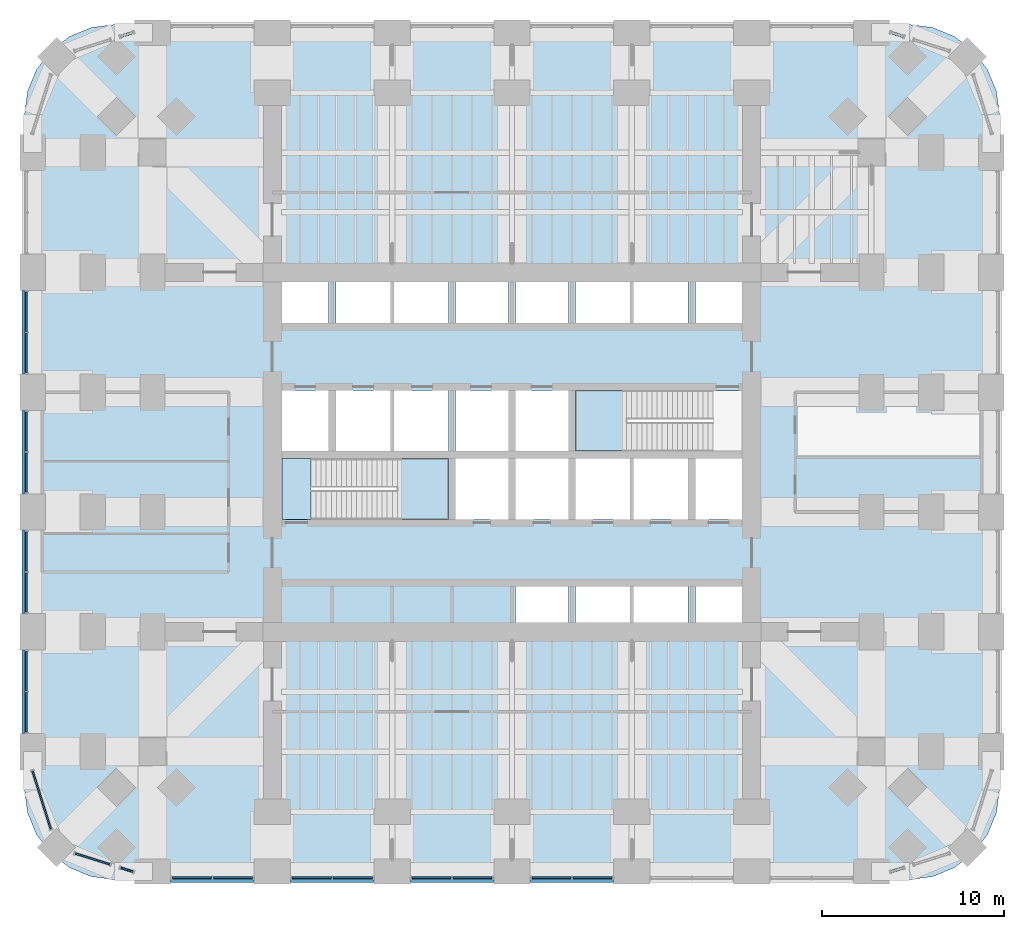
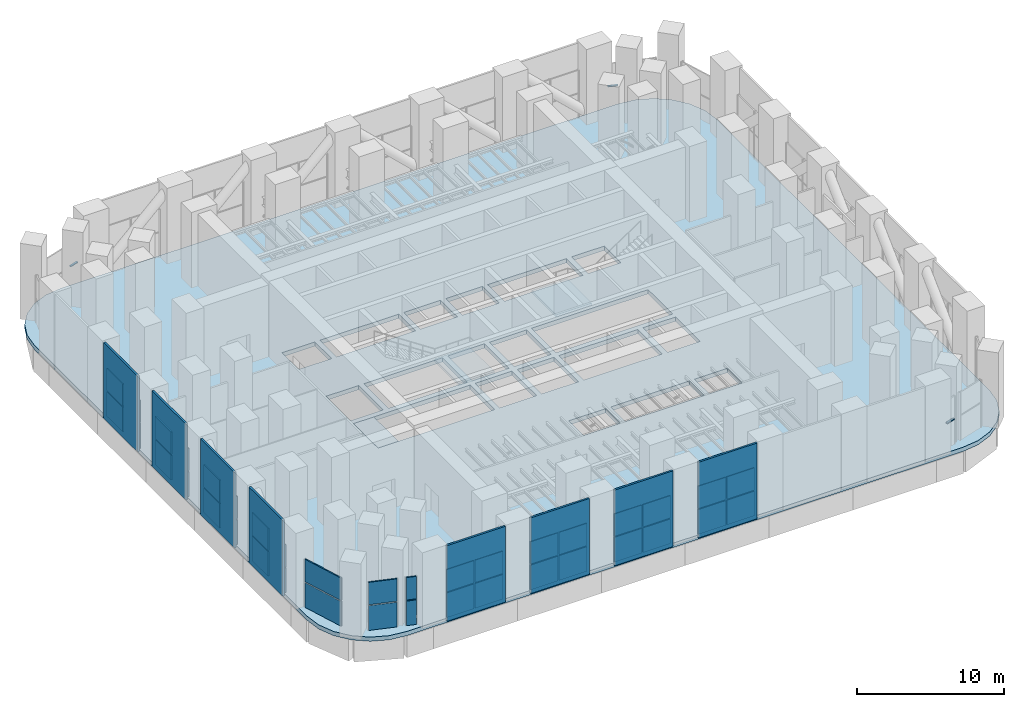
# One storey, part 11 of 17: 46 plates, 4 members, 4 slabs, 16 elements without a shape of their own.
"""IFC4 building model written with IfcOpenShell, lengths in metres."""

from ifc_helpers import new_model, si_unit, direction, frame, origin, origin_2d, place, context, subcontext, project, spatial, polyline, rectangle, outline, extrude, material, layer, layer_set, material_profile, profile_set, type_object, element, aggregate, save


model = new_model("IFC4")

# Units and contexts
model_context = context("Model", 3, precision=1e-05, world=origin(), true_north=direction((0.0, 1.0)))
body_context = subcontext(model_context, "Body", "Model", "MODEL_VIEW")
ifc_project = project(units=[si_unit("LENGTHUNIT", "METRE"), si_unit("AREAUNIT", "SQUARE_METRE"), si_unit("VOLUMEUNIT", "CUBIC_METRE"), si_unit("PLANEANGLEUNIT", "RADIAN"), si_unit("MASSUNIT", "GRAM", prefix="KILO")], contexts=[model_context])

# Site, building, storey
site_placement = place(None, origin())
site = spatial("IfcSite", under=ifc_project, at=site_placement, CompositionType="ELEMENT")
building_placement = place(site_placement, origin())
building = spatial("IfcBuilding", under=site, at=building_placement, Name="Cobogo Forest Laboratory Tower", CompositionType="ELEMENT")
storey_placement = place(building_placement, frame((0.0, 0.0, 75.89990234375)))
storey = spatial("IfcBuildingStorey", under=building, at=storey_placement, Name="L17", CompositionType="ELEMENT", Elevation=75.89990234375)

# Curtain wall, member
ifc_material_1 = material(Name="Aluminium curtain wall", Category="aluminium")
curtain_wall_type = type_object("IfcCurtainWallType", Name="CW-P louvred curtain wall, plant floors", PredefinedType="USERDEFINED", material=ifc_material_1)
curtain_wall_1_placement = place(storey_placement, origin())
curtain_wall_1 = element("IfcCurtainWall", 1, at=curtain_wall_1_placement, inside=storey, type_object=curtain_wall_type, Name="Curtain wall 07 L17", ObjectType="LOUVRED CURTAIN WALL", PredefinedType="USERDEFINED")
ifc_material_2 = material(Name="Aluminium transom", Category="aluminium")
ifc_material_profile = material_profile(ifc_material_2, rectangle(XDim=0.14990234375, YDim=0.080078125, at=origin_2d()), Name="AL 80x150")
ifc_profile_set = profile_set([ifc_material_profile], Name="Aluminium transom")
member_type = type_object("IfcMemberType", Name="TR-2 aluminium louvre transom 80x150", PredefinedType="USERDEFINED", material=ifc_profile_set)
member_1_placement = place(storey_placement, frame((47.2763671875, -0.010009765625, 2.10009765625), z_axis=(0.953660766442, 0.300883935346, 0.0), x_axis=(-0.300883935346, 0.953660766442, 0.0)))
member_1 = element("IfcMember", 2, at=member_1_placement, type_object=member_type, Name="CW-P transom 1.1", ObjectType="TRANSOM", PredefinedType="USERDEFINED", context=body_context, shape_type="SweptSolid", body=[
    extrude(rectangle(XDim=0.14990234375, YDim=0.080078125, at=origin_2d()), origin(), (0.0, 0.0, 1.0), 0.708251953125),
])
aggregate(curtain_wall_1, [member_1])

curtain_wall_2_placement = place(storey_placement, origin())
curtain_wall_2 = element("IfcCurtainWall", 3, at=curtain_wall_2_placement, inside=storey, type_object=curtain_wall_type, Name="Curtain wall 17 L17", ObjectType="LOUVRED CURTAIN WALL", PredefinedType="USERDEFINED")
member_2_placement = place(storey_placement, frame((47.951904296875, 45.996826171875, 2.10009765625), z_axis=(-0.953561829439, 0.301197339693, 0.0), x_axis=(-0.301197339693, -0.953561829439, 0.0)))
member_2 = element("IfcMember", 4, at=member_2_placement, type_object=member_type, Name="CW-P transom 1.1", ObjectType="TRANSOM", PredefinedType="USERDEFINED", context=body_context, shape_type="SweptSolid", body=[
    extrude(rectangle(XDim=0.14990234375, YDim=0.080078125, at=origin_2d()), origin(), (0.0, 0.0, 1.0), 0.70849609375),
])
aggregate(curtain_wall_2, [member_2])

curtain_wall_3_placement = place(storey_placement, origin())
curtain_wall_3 = element("IfcCurtainWall", 5, at=curtain_wall_3_placement, inside=storey, type_object=curtain_wall_type, Name="Curtain wall 24 L17", ObjectType="LOUVRED CURTAIN WALL", PredefinedType="USERDEFINED")
member_3_placement = place(storey_placement, frame((5.523681640625, 46.210205078125, 2.10009765625), z_axis=(-0.953561829439, -0.301197339693, 0.0), x_axis=(0.301197339693, -0.953561829439, 0.0)))
member_3 = element("IfcMember", 6, at=member_3_placement, type_object=member_type, Name="CW-P transom 1.1", ObjectType="TRANSOM", PredefinedType="USERDEFINED", context=body_context, shape_type="SweptSolid", body=[
    extrude(rectangle(XDim=0.14990234375, YDim=0.080078125, at=origin_2d()), origin(), (0.0, 0.0, 1.0), 0.70849609375),
])
aggregate(curtain_wall_3, [member_3])

curtain_wall_4_placement = place(storey_placement, origin())
curtain_wall_4 = element("IfcCurtainWall", 7, at=curtain_wall_4_placement, inside=storey, type_object=curtain_wall_type, Name="Curtain wall 34 L17", ObjectType="LOUVRED CURTAIN WALL", PredefinedType="USERDEFINED")
member_4_placement = place(storey_placement, frame((4.84814453125, 0.203125, 2.10009765625), z_axis=(0.953660766442, -0.300883935346, 0.0), x_axis=(0.300883935346, 0.953660766442, 0.0)))
member_4 = element("IfcMember", 8, at=member_4_placement, type_object=member_type, Name="CW-P transom 1.1", ObjectType="TRANSOM", PredefinedType="USERDEFINED", context=body_context, shape_type="SweptSolid", body=[
    extrude(rectangle(XDim=0.14990234375, YDim=0.080078125, at=origin_2d()), origin(), (0.0, 0.0, 1.0), 0.708251953125),
])

# Plates
ifc_material_3 = material(Name="Pierced concrete block", Category="concrete")
ifc_layer_1 = layer(ifc_material_3, 0.14990234375)
ifc_layer_set_1 = layer_set([ifc_layer_1], Name="CO2 cobogo block screen 150")
plate_type_1 = type_object("IfcPlateType", Name="CO2 cobogo block screen 150", PredefinedType="USERDEFINED", material=ifc_layer_set_1)
for number, where, z_axis, x_axis, name in (
    (9, (9.89990234375, -0.52490234375, -0.14990234375), (0.0, 0.0, 1.0), (1.0, 0.0, 0.0), "Cobogo screen S1 L17"),
    (10, (16.5, -0.52490234375, -0.14990234375), (0.0, 0.0, 1.0), (1.0, 0.0, 0.0), "Cobogo screen S2 L17"),
    (11, (23.10009765625, -0.52490234375, -0.14990234375), (0.0, 0.0, 1.0), (1.0, 0.0, 0.0), "Cobogo screen S3 L17"),
    (12, (29.699951171875, -0.52490234375, -0.14990234375), (0.0, 0.0, 1.0), (1.0, 0.0, 0.0), "Cobogo screen S4 L17"),
    (13, (-0.52490234375, 9.89990234375, -0.14990234375), (0.0, 0.0, 1.0), (0.0, 1.0, 0.0), "Cobogo screen W1 L17"),
    (14, (-0.52490234375, 16.5, -0.14990234375), (0.0, 0.0, 1.0), (0.0, 1.0, 0.0), "Cobogo screen W2 L17"),
    (15, (-0.52490234375, 23.10009765625, -0.14990234375), (0.0, 0.0, 1.0), (0.0, 1.0, 0.0), "Cobogo screen W3 L17"),
    (16, (-0.52490234375, 29.699951171875, -0.14990234375), (0.0, 0.0, 1.0), (0.0, 1.0, 0.0), "Cobogo screen W4 L17"),
):
    element("IfcPlate", number, at=place(storey_placement, frame(where, z_axis=z_axis, x_axis=x_axis)), inside=storey, type_object=plate_type_1, Name=name, ObjectType="COBOGO SCREEN", PredefinedType="USERDEFINED", context=body_context, shape_type="SweptSolid", body=[
        extrude(rectangle(XDim=4.60009765625, YDim=0.14990234375, at=origin_2d()), origin(), (0.0, 0.0, 1.0), 6.300048828125),
    ])

# Curtain wall, plates
curtain_wall_5_placement = place(storey_placement, origin())
curtain_wall_5 = element("IfcCurtainWall", 17, at=curtain_wall_5_placement, inside=storey, type_object=curtain_wall_type, Name="Curtain wall 01 L17", ObjectType="LOUVRED CURTAIN WALL", PredefinedType="USERDEFINED")
ifc_material_4 = material(Name="Aluminium louvre", Category="aluminium")
ifc_layer_2 = layer(ifc_material_4, 0.10009765625)
ifc_layer_set_2 = layer_set([ifc_layer_2], Name="LV-1 aluminium weather louvre panel 100")
plate_type_2 = type_object("IfcPlateType", Name="LV-1 aluminium weather louvre panel 100", PredefinedType="CURTAIN_PANEL", material=ifc_layer_set_2)
plate_1_placement = place(storey_placement, frame((8.77001953125, -0.35009765625, 0.0), z_axis=(0.0, 0.0, 1.0), x_axis=(1.0, 0.0, 0.0)))
plate_1 = element("IfcPlate", 18, at=plate_1_placement, type_object=plate_type_2, Name="CW-P panel 1.1", PredefinedType="CURTAIN_PANEL", context=body_context, shape_type="SweptSolid", body=[
    extrude(rectangle(XDim=2.179931640625, YDim=0.10009765625, at=origin_2d()), origin(), (0.0, 0.0, 1.0), 2.06005859375),
])
plate_2_placement = place(storey_placement, frame((8.77001953125, -0.35009765625, 2.14013671875), z_axis=(0.0, 0.0, 1.0), x_axis=(1.0, 0.0, 0.0)))
plate_2 = element("IfcPlate", 19, at=plate_2_placement, type_object=plate_type_2, Name="CW-P panel 1.2", PredefinedType="CURTAIN_PANEL", context=body_context, shape_type="SweptSolid", body=[
    extrude(rectangle(XDim=2.179931640625, YDim=0.10009765625, at=origin_2d()), origin(), (0.0, 0.0, 1.0), 1.860107421875),
])
plate_3_placement = place(storey_placement, frame((11.030029296875, -0.35009765625, 0.0), z_axis=(0.0, 0.0, 1.0), x_axis=(1.0, 0.0, 0.0)))
plate_3 = element("IfcPlate", 20, at=plate_3_placement, type_object=plate_type_2, Name="CW-P panel 2.1", PredefinedType="CURTAIN_PANEL", context=body_context, shape_type="SweptSolid", body=[
    extrude(rectangle(XDim=2.179931640625, YDim=0.10009765625, at=origin_2d()), origin(), (0.0, 0.0, 1.0), 2.06005859375),
])
plate_4_placement = place(storey_placement, frame((11.030029296875, -0.35009765625, 2.14013671875), z_axis=(0.0, 0.0, 1.0), x_axis=(1.0, 0.0, 0.0)))
plate_4 = element("IfcPlate", 21, at=plate_4_placement, type_object=plate_type_2, Name="CW-P panel 2.2", PredefinedType="CURTAIN_PANEL", context=body_context, shape_type="SweptSolid", body=[
    extrude(rectangle(XDim=2.179931640625, YDim=0.10009765625, at=origin_2d()), origin(), (0.0, 0.0, 1.0), 1.860107421875),
])
aggregate(curtain_wall_5, [plate_1, plate_2, plate_3, plate_4])

curtain_wall_6_placement = place(storey_placement, origin())
curtain_wall_6 = element("IfcCurtainWall", 22, at=curtain_wall_6_placement, inside=storey, type_object=curtain_wall_type, Name="Curtain wall 02 L17", ObjectType="LOUVRED CURTAIN WALL", PredefinedType="USERDEFINED")
plate_5_placement = place(storey_placement, frame((15.3701171875, -0.35009765625, 0.0), z_axis=(0.0, 0.0, 1.0), x_axis=(1.0, 0.0, 0.0)))
plate_5 = element("IfcPlate", 23, at=plate_5_placement, type_object=plate_type_2, Name="CW-P panel 1.1", PredefinedType="CURTAIN_PANEL", context=body_context, shape_type="SweptSolid", body=[
    extrude(rectangle(XDim=2.179931640625, YDim=0.10009765625, at=origin_2d()), origin(), (0.0, 0.0, 1.0), 2.06005859375),
])
plate_6_placement = place(storey_placement, frame((15.3701171875, -0.35009765625, 2.14013671875), z_axis=(0.0, 0.0, 1.0), x_axis=(1.0, 0.0, 0.0)))
plate_6 = element("IfcPlate", 24, at=plate_6_placement, type_object=plate_type_2, Name="CW-P panel 1.2", PredefinedType="CURTAIN_PANEL", context=body_context, shape_type="SweptSolid", body=[
    extrude(rectangle(XDim=2.179931640625, YDim=0.10009765625, at=origin_2d()), origin(), (0.0, 0.0, 1.0), 1.860107421875),
])
plate_7_placement = place(storey_placement, frame((17.6298828125, -0.35009765625, 0.0), z_axis=(0.0, 0.0, 1.0), x_axis=(1.0, 0.0, 0.0)))
plate_7 = element("IfcPlate", 25, at=plate_7_placement, type_object=plate_type_2, Name="CW-P panel 2.1", PredefinedType="CURTAIN_PANEL", context=body_context, shape_type="SweptSolid", body=[
    extrude(rectangle(XDim=2.179931640625, YDim=0.10009765625, at=origin_2d()), origin(), (0.0, 0.0, 1.0), 2.06005859375),
])
plate_8_placement = place(storey_placement, frame((17.6298828125, -0.35009765625, 2.14013671875), z_axis=(0.0, 0.0, 1.0), x_axis=(1.0, 0.0, 0.0)))
plate_8 = element("IfcPlate", 26, at=plate_8_placement, type_object=plate_type_2, Name="CW-P panel 2.2", PredefinedType="CURTAIN_PANEL", context=body_context, shape_type="SweptSolid", body=[
    extrude(rectangle(XDim=2.179931640625, YDim=0.10009765625, at=origin_2d()), origin(), (0.0, 0.0, 1.0), 1.860107421875),
])
aggregate(curtain_wall_6, [plate_5, plate_6, plate_7, plate_8])

curtain_wall_7_placement = place(storey_placement, origin())
curtain_wall_7 = element("IfcCurtainWall", 27, at=curtain_wall_7_placement, inside=storey, type_object=curtain_wall_type, Name="Curtain wall 03 L17", ObjectType="LOUVRED CURTAIN WALL", PredefinedType="USERDEFINED")
plate_9_placement = place(storey_placement, frame((21.969970703125, -0.35009765625, 0.0), z_axis=(0.0, 0.0, 1.0), x_axis=(1.0, 0.0, 0.0)))
plate_9 = element("IfcPlate", 28, at=plate_9_placement, type_object=plate_type_2, Name="CW-P panel 1.1", PredefinedType="CURTAIN_PANEL", context=body_context, shape_type="SweptSolid", body=[
    extrude(rectangle(XDim=2.179931640625, YDim=0.10009765625, at=origin_2d()), origin(), (0.0, 0.0, 1.0), 2.06005859375),
])
plate_10_placement = place(storey_placement, frame((21.969970703125, -0.35009765625, 2.14013671875), z_axis=(0.0, 0.0, 1.0), x_axis=(1.0, 0.0, 0.0)))
plate_10 = element("IfcPlate", 29, at=plate_10_placement, type_object=plate_type_2, Name="CW-P panel 1.2", PredefinedType="CURTAIN_PANEL", context=body_context, shape_type="SweptSolid", body=[
    extrude(rectangle(XDim=2.179931640625, YDim=0.10009765625, at=origin_2d()), origin(), (0.0, 0.0, 1.0), 1.860107421875),
])
plate_11_placement = place(storey_placement, frame((24.22998046875, -0.35009765625, 0.0), z_axis=(0.0, 0.0, 1.0), x_axis=(1.0, 0.0, 0.0)))
plate_11 = element("IfcPlate", 30, at=plate_11_placement, type_object=plate_type_2, Name="CW-P panel 2.1", PredefinedType="CURTAIN_PANEL", context=body_context, shape_type="SweptSolid", body=[
    extrude(rectangle(XDim=2.179931640625, YDim=0.10009765625, at=origin_2d()), origin(), (0.0, 0.0, 1.0), 2.06005859375),
])
plate_12_placement = place(storey_placement, frame((24.22998046875, -0.35009765625, 2.14013671875), z_axis=(0.0, 0.0, 1.0), x_axis=(1.0, 0.0, 0.0)))
plate_12 = element("IfcPlate", 31, at=plate_12_placement, type_object=plate_type_2, Name="CW-P panel 2.2", PredefinedType="CURTAIN_PANEL", context=body_context, shape_type="SweptSolid", body=[
    extrude(rectangle(XDim=2.179931640625, YDim=0.10009765625, at=origin_2d()), origin(), (0.0, 0.0, 1.0), 1.860107421875),
])
aggregate(curtain_wall_7, [plate_9, plate_10, plate_11, plate_12])

curtain_wall_8_placement = place(storey_placement, origin())
curtain_wall_8 = element("IfcCurtainWall", 32, at=curtain_wall_8_placement, inside=storey, type_object=curtain_wall_type, Name="Curtain wall 04 L17", ObjectType="LOUVRED CURTAIN WALL", PredefinedType="USERDEFINED")
plate_13_placement = place(storey_placement, frame((28.570068359375, -0.35009765625, 0.0), z_axis=(0.0, 0.0, 1.0), x_axis=(1.0, 0.0, 0.0)))
plate_13 = element("IfcPlate", 33, at=plate_13_placement, type_object=plate_type_2, Name="CW-P panel 1.1", PredefinedType="CURTAIN_PANEL", context=body_context, shape_type="SweptSolid", body=[
    extrude(rectangle(XDim=2.179931640625, YDim=0.10009765625, at=origin_2d()), origin(), (0.0, 0.0, 1.0), 2.06005859375),
])
plate_14_placement = place(storey_placement, frame((28.570068359375, -0.35009765625, 2.14013671875), z_axis=(0.0, 0.0, 1.0), x_axis=(1.0, 0.0, 0.0)))
plate_14 = element("IfcPlate", 34, at=plate_14_placement, type_object=plate_type_2, Name="CW-P panel 1.2", PredefinedType="CURTAIN_PANEL", context=body_context, shape_type="SweptSolid", body=[
    extrude(rectangle(XDim=2.179931640625, YDim=0.10009765625, at=origin_2d()), origin(), (0.0, 0.0, 1.0), 1.860107421875),
])
plate_15_placement = place(storey_placement, frame((30.830078125, -0.35009765625, 0.0), z_axis=(0.0, 0.0, 1.0), x_axis=(1.0, 0.0, 0.0)))
plate_15 = element("IfcPlate", 35, at=plate_15_placement, type_object=plate_type_2, Name="CW-P panel 2.1", PredefinedType="CURTAIN_PANEL", context=body_context, shape_type="SweptSolid", body=[
    extrude(rectangle(XDim=2.179931640625, YDim=0.10009765625, at=origin_2d()), origin(), (0.0, 0.0, 1.0), 2.06005859375),
])
plate_16_placement = place(storey_placement, frame((30.830078125, -0.35009765625, 2.14013671875), z_axis=(0.0, 0.0, 1.0), x_axis=(1.0, 0.0, 0.0)))
plate_16 = element("IfcPlate", 36, at=plate_16_placement, type_object=plate_type_2, Name="CW-P panel 2.2", PredefinedType="CURTAIN_PANEL", context=body_context, shape_type="SweptSolid", body=[
    extrude(rectangle(XDim=2.179931640625, YDim=0.10009765625, at=origin_2d()), origin(), (0.0, 0.0, 1.0), 1.860107421875),
])
aggregate(curtain_wall_8, [plate_13, plate_14, plate_15, plate_16])

curtain_wall_9_placement = place(storey_placement, origin())
curtain_wall_9 = element("IfcCurtainWall", 37, at=curtain_wall_9_placement, inside=storey, type_object=curtain_wall_type, Name="Curtain wall 28 L17", ObjectType="LOUVRED CURTAIN WALL", PredefinedType="USERDEFINED")
plate_17_placement = place(storey_placement, frame((-0.35009765625, 30.830078125, 0.0), z_axis=(0.0, 0.0, 1.0), x_axis=(0.0, -1.0, 0.0)))
plate_17 = element("IfcPlate", 38, at=plate_17_placement, type_object=plate_type_2, Name="CW-P panel 1.1", PredefinedType="CURTAIN_PANEL", context=body_context, shape_type="SweptSolid", body=[
    extrude(rectangle(XDim=2.179931640625, YDim=0.10009765625, at=origin_2d()), origin(), (0.0, 0.0, 1.0), 2.06005859375),
])
plate_18_placement = place(storey_placement, frame((-0.35009765625, 30.830078125, 2.14013671875), z_axis=(0.0, 0.0, 1.0), x_axis=(0.0, -1.0, 0.0)))
plate_18 = element("IfcPlate", 39, at=plate_18_placement, type_object=plate_type_2, Name="CW-P panel 1.2", PredefinedType="CURTAIN_PANEL", context=body_context, shape_type="SweptSolid", body=[
    extrude(rectangle(XDim=2.179931640625, YDim=0.10009765625, at=origin_2d()), origin(), (0.0, 0.0, 1.0), 1.860107421875),
])
plate_19_placement = place(storey_placement, frame((-0.35009765625, 28.570068359375, 0.0), z_axis=(0.0, 0.0, 1.0), x_axis=(0.0, -1.0, 0.0)))
plate_19 = element("IfcPlate", 40, at=plate_19_placement, type_object=plate_type_2, Name="CW-P panel 2.1", PredefinedType="CURTAIN_PANEL", context=body_context, shape_type="SweptSolid", body=[
    extrude(rectangle(XDim=2.179931640625, YDim=0.10009765625, at=origin_2d()), origin(), (0.0, 0.0, 1.0), 2.06005859375),
])
plate_20_placement = place(storey_placement, frame((-0.35009765625, 28.570068359375, 2.14013671875), z_axis=(0.0, 0.0, 1.0), x_axis=(0.0, -1.0, 0.0)))
plate_20 = element("IfcPlate", 41, at=plate_20_placement, type_object=plate_type_2, Name="CW-P panel 2.2", PredefinedType="CURTAIN_PANEL", context=body_context, shape_type="SweptSolid", body=[
    extrude(rectangle(XDim=2.179931640625, YDim=0.10009765625, at=origin_2d()), origin(), (0.0, 0.0, 1.0), 1.860107421875),
])
aggregate(curtain_wall_9, [plate_17, plate_18, plate_19, plate_20])

curtain_wall_10_placement = place(storey_placement, origin())
curtain_wall_10 = element("IfcCurtainWall", 42, at=curtain_wall_10_placement, inside=storey, type_object=curtain_wall_type, Name="Curtain wall 29 L17", ObjectType="LOUVRED CURTAIN WALL", PredefinedType="USERDEFINED")
plate_21_placement = place(storey_placement, frame((-0.35009765625, 24.22998046875, 0.0), z_axis=(0.0, 0.0, 1.0), x_axis=(0.0, -1.0, 0.0)))
plate_21 = element("IfcPlate", 43, at=plate_21_placement, type_object=plate_type_2, Name="CW-P panel 1.1", PredefinedType="CURTAIN_PANEL", context=body_context, shape_type="SweptSolid", body=[
    extrude(rectangle(XDim=2.179931640625, YDim=0.10009765625, at=origin_2d()), origin(), (0.0, 0.0, 1.0), 2.06005859375),
])
plate_22_placement = place(storey_placement, frame((-0.35009765625, 24.22998046875, 2.14013671875), z_axis=(0.0, 0.0, 1.0), x_axis=(0.0, -1.0, 0.0)))
plate_22 = element("IfcPlate", 44, at=plate_22_placement, type_object=plate_type_2, Name="CW-P panel 1.2", PredefinedType="CURTAIN_PANEL", context=body_context, shape_type="SweptSolid", body=[
    extrude(rectangle(XDim=2.179931640625, YDim=0.10009765625, at=origin_2d()), origin(), (0.0, 0.0, 1.0), 1.860107421875),
])
plate_23_placement = place(storey_placement, frame((-0.35009765625, 21.969970703125, 0.0), z_axis=(0.0, 0.0, 1.0), x_axis=(0.0, -1.0, 0.0)))
plate_23 = element("IfcPlate", 45, at=plate_23_placement, type_object=plate_type_2, Name="CW-P panel 2.1", PredefinedType="CURTAIN_PANEL", context=body_context, shape_type="SweptSolid", body=[
    extrude(rectangle(XDim=2.179931640625, YDim=0.10009765625, at=origin_2d()), origin(), (0.0, 0.0, 1.0), 2.06005859375),
])
plate_24_placement = place(storey_placement, frame((-0.35009765625, 21.969970703125, 2.14013671875), z_axis=(0.0, 0.0, 1.0), x_axis=(0.0, -1.0, 0.0)))
plate_24 = element("IfcPlate", 46, at=plate_24_placement, type_object=plate_type_2, Name="CW-P panel 2.2", PredefinedType="CURTAIN_PANEL", context=body_context, shape_type="SweptSolid", body=[
    extrude(rectangle(XDim=2.179931640625, YDim=0.10009765625, at=origin_2d()), origin(), (0.0, 0.0, 1.0), 1.860107421875),
])
aggregate(curtain_wall_10, [plate_21, plate_22, plate_23, plate_24])

curtain_wall_11_placement = place(storey_placement, origin())
curtain_wall_11 = element("IfcCurtainWall", 47, at=curtain_wall_11_placement, inside=storey, type_object=curtain_wall_type, Name="Curtain wall 30 L17", ObjectType="LOUVRED CURTAIN WALL", PredefinedType="USERDEFINED")
plate_25_placement = place(storey_placement, frame((-0.35009765625, 17.6298828125, 0.0), z_axis=(0.0, 0.0, 1.0), x_axis=(0.0, -1.0, 0.0)))
plate_25 = element("IfcPlate", 48, at=plate_25_placement, type_object=plate_type_2, Name="CW-P panel 1.1", PredefinedType="CURTAIN_PANEL", context=body_context, shape_type="SweptSolid", body=[
    extrude(rectangle(XDim=2.179931640625, YDim=0.10009765625, at=origin_2d()), origin(), (0.0, 0.0, 1.0), 2.06005859375),
])
plate_26_placement = place(storey_placement, frame((-0.35009765625, 17.6298828125, 2.14013671875), z_axis=(0.0, 0.0, 1.0), x_axis=(0.0, -1.0, 0.0)))
plate_26 = element("IfcPlate", 49, at=plate_26_placement, type_object=plate_type_2, Name="CW-P panel 1.2", PredefinedType="CURTAIN_PANEL", context=body_context, shape_type="SweptSolid", body=[
    extrude(rectangle(XDim=2.179931640625, YDim=0.10009765625, at=origin_2d()), origin(), (0.0, 0.0, 1.0), 1.860107421875),
])
plate_27_placement = place(storey_placement, frame((-0.35009765625, 15.3701171875, 0.0), z_axis=(0.0, 0.0, 1.0), x_axis=(0.0, -1.0, 0.0)))
plate_27 = element("IfcPlate", 50, at=plate_27_placement, type_object=plate_type_2, Name="CW-P panel 2.1", PredefinedType="CURTAIN_PANEL", context=body_context, shape_type="SweptSolid", body=[
    extrude(rectangle(XDim=2.179931640625, YDim=0.10009765625, at=origin_2d()), origin(), (0.0, 0.0, 1.0), 2.06005859375),
])
plate_28_placement = place(storey_placement, frame((-0.35009765625, 15.3701171875, 2.14013671875), z_axis=(0.0, 0.0, 1.0), x_axis=(0.0, -1.0, 0.0)))
plate_28 = element("IfcPlate", 51, at=plate_28_placement, type_object=plate_type_2, Name="CW-P panel 2.2", PredefinedType="CURTAIN_PANEL", context=body_context, shape_type="SweptSolid", body=[
    extrude(rectangle(XDim=2.179931640625, YDim=0.10009765625, at=origin_2d()), origin(), (0.0, 0.0, 1.0), 1.860107421875),
])
aggregate(curtain_wall_11, [plate_25, plate_26, plate_27, plate_28])

curtain_wall_12_placement = place(storey_placement, origin())
curtain_wall_12 = element("IfcCurtainWall", 52, at=curtain_wall_12_placement, inside=storey, type_object=curtain_wall_type, Name="Curtain wall 31 L17", ObjectType="LOUVRED CURTAIN WALL", PredefinedType="USERDEFINED")
plate_29_placement = place(storey_placement, frame((-0.35009765625, 11.030029296875, 0.0), z_axis=(0.0, 0.0, 1.0), x_axis=(0.0, -1.0, 0.0)))
plate_29 = element("IfcPlate", 53, at=plate_29_placement, type_object=plate_type_2, Name="CW-P panel 1.1", PredefinedType="CURTAIN_PANEL", context=body_context, shape_type="SweptSolid", body=[
    extrude(rectangle(XDim=2.179931640625, YDim=0.10009765625, at=origin_2d()), origin(), (0.0, 0.0, 1.0), 2.06005859375),
])
plate_30_placement = place(storey_placement, frame((-0.35009765625, 11.030029296875, 2.14013671875), z_axis=(0.0, 0.0, 1.0), x_axis=(0.0, -1.0, 0.0)))
plate_30 = element("IfcPlate", 54, at=plate_30_placement, type_object=plate_type_2, Name="CW-P panel 1.2", PredefinedType="CURTAIN_PANEL", context=body_context, shape_type="SweptSolid", body=[
    extrude(rectangle(XDim=2.179931640625, YDim=0.10009765625, at=origin_2d()), origin(), (0.0, 0.0, 1.0), 1.860107421875),
])
plate_31_placement = place(storey_placement, frame((-0.35009765625, 8.77001953125, 0.0), z_axis=(0.0, 0.0, 1.0), x_axis=(0.0, -1.0, 0.0)))
plate_31 = element("IfcPlate", 55, at=plate_31_placement, type_object=plate_type_2, Name="CW-P panel 2.1", PredefinedType="CURTAIN_PANEL", context=body_context, shape_type="SweptSolid", body=[
    extrude(rectangle(XDim=2.179931640625, YDim=0.10009765625, at=origin_2d()), origin(), (0.0, 0.0, 1.0), 2.06005859375),
])
plate_32_placement = place(storey_placement, frame((-0.35009765625, 8.77001953125, 2.14013671875), z_axis=(0.0, 0.0, 1.0), x_axis=(0.0, -1.0, 0.0)))
plate_32 = element("IfcPlate", 56, at=plate_32_placement, type_object=plate_type_2, Name="CW-P panel 2.2", PredefinedType="CURTAIN_PANEL", context=body_context, shape_type="SweptSolid", body=[
    extrude(rectangle(XDim=2.179931640625, YDim=0.10009765625, at=origin_2d()), origin(), (0.0, 0.0, 1.0), 1.860107421875),
])
aggregate(curtain_wall_12, [plate_29, plate_30, plate_31, plate_32])

curtain_wall_13_placement = place(storey_placement, origin())
curtain_wall_13 = element("IfcCurtainWall", 57, at=curtain_wall_13_placement, inside=storey, type_object=curtain_wall_type, Name="Curtain wall 32 L17", ObjectType="LOUVRED CURTAIN WALL", PredefinedType="USERDEFINED")
plate_33_placement = place(storey_placement, frame((0.49267578125, 3.931884765625, 0.0), z_axis=(0.0, 0.0, 1.0), x_axis=(0.301135635976, -0.953581317322, 0.0)))
plate_33 = element("IfcPlate", 58, at=plate_33_placement, type_object=plate_type_2, Name="CW-P panel 1.1", PredefinedType="CURTAIN_PANEL", context=body_context, shape_type="SweptSolid", body=[
    extrude(rectangle(XDim=3.338623046875, YDim=0.10009765625, at=origin_2d()), origin(), (0.0, 0.0, 1.0), 2.06005859375),
])
plate_34_placement = place(storey_placement, frame((0.49267578125, 3.931884765625, 2.14013671875), z_axis=(0.0, 0.0, 1.0), x_axis=(0.301135635976, -0.953581317322, 0.0)))
plate_34 = element("IfcPlate", 59, at=plate_34_placement, type_object=plate_type_2, Name="CW-P panel 1.2", PredefinedType="CURTAIN_PANEL", context=body_context, shape_type="SweptSolid", body=[
    extrude(rectangle(XDim=3.338623046875, YDim=0.10009765625, at=origin_2d()), origin(), (0.0, 0.0, 1.0), 1.860107421875),
])
aggregate(curtain_wall_13, [plate_33, plate_34])

curtain_wall_14_placement = place(storey_placement, origin())
curtain_wall_14 = element("IfcCurtainWall", 60, at=curtain_wall_14_placement, inside=storey, type_object=curtain_wall_type, Name="Curtain wall 33 L17", ObjectType="LOUVRED CURTAIN WALL", PredefinedType="USERDEFINED")
plate_35_placement = place(storey_placement, frame((3.29296875, 0.6943359375, 0.0), z_axis=(0.0, 0.0, 1.0), x_axis=(0.953581348836, -0.301135536184, 0.0)))
plate_35 = element("IfcPlate", 61, at=plate_35_placement, type_object=plate_type_2, Name="CW-P panel 1.1", PredefinedType="CURTAIN_PANEL", context=body_context, shape_type="SweptSolid", body=[
    extrude(rectangle(XDim=1.99853515625, YDim=0.10009765625, at=origin_2d()), origin(), (0.0, 0.0, 1.0), 2.06005859375),
])
plate_36_placement = place(storey_placement, frame((3.29296875, 0.6943359375, 2.14013671875), z_axis=(0.0, 0.0, 1.0), x_axis=(0.953581348836, -0.301135536184, 0.0)))
plate_36 = element("IfcPlate", 62, at=plate_36_placement, type_object=plate_type_2, Name="CW-P panel 1.2", PredefinedType="CURTAIN_PANEL", context=body_context, shape_type="SweptSolid", body=[
    extrude(rectangle(XDim=1.99853515625, YDim=0.10009765625, at=origin_2d()), origin(), (0.0, 0.0, 1.0), 1.860107421875),
])
aggregate(curtain_wall_14, [plate_35, plate_36])

# Plate
plate_37_placement = place(storey_placement, frame((5.18603515625, 0.0966796875, 0.0), z_axis=(0.0, 0.0, 1.0), x_axis=(0.953581151143, -0.301136162199, 0.0)))
plate_37 = element("IfcPlate", 63, at=plate_37_placement, type_object=plate_type_2, Name="CW-P panel 1.1", PredefinedType="CURTAIN_PANEL", context=body_context, shape_type="SweptSolid", body=[
    extrude(rectangle(XDim=0.70849609375, YDim=0.10009765625, at=origin_2d()), origin(), (0.0, 0.0, 1.0), 2.06005859375),
])

plate_38_placement = place(storey_placement, frame((5.18603515625, 0.0966796875, 2.14013671875), z_axis=(0.0, 0.0, 1.0), x_axis=(0.953581151143, -0.301136162199, 0.0)))
plate_38 = element("IfcPlate", 64, at=plate_38_placement, type_object=plate_type_2, Name="CW-P panel 1.2", PredefinedType="CURTAIN_PANEL", context=body_context, shape_type="SweptSolid", body=[
    extrude(rectangle(XDim=0.70849609375, YDim=0.10009765625, at=origin_2d()), origin(), (0.0, 0.0, 1.0), 1.860107421875),
])

aggregate(curtain_wall_4, [member_4, plate_37, plate_38])

# Slab
ifc_material_5 = material(Name="Concrete HA-40 (C40/50)", Category="concrete")
ifc_layer_3 = layer(ifc_material_5, 0.35009765625)
ifc_layer_set_3 = layer_set([ifc_layer_3], Name="Plant floor slab 350")
slab_type_1 = type_object("IfcSlabType", Name="Plant floor slab 350", PredefinedType="FLOOR", material=ifc_layer_set_3)
slab_1_placement = place(storey_placement, frame((0.0, 0.0, -0.349853515625)))
element("IfcSlab", 65, at=slab_1_placement, inside=storey, type_object=slab_type_1, Name="L17 floor slab", PredefinedType="FLOOR", context=body_context, shape_type="SweptSolid", body=[
    extrude(outline(polyline([(48.300048828125, -0.449951171875), (49.5810546875, -0.28125), (50.77490234375, 0.213134765625), (51.80029296875, 0.999755859375), (52.5869140625, 2.02490234375), (53.081298828125, 3.21875), (53.25, 4.5), (53.25, 41.699951171875), (53.081298828125, 42.981201171875), (52.5869140625, 44.175048828125), (51.80029296875, 45.2001953125), (50.77490234375, 45.98681640625), (49.5810546875, 46.4814453125), (48.300048828125, 46.64990234375), (4.5, 46.64990234375), (3.21875, 46.4814453125), (2.02490234375, 45.98681640625), (0.999755859375, 45.2001953125), (0.213134765625, 44.175048828125), (-0.28125, 42.981201171875), (-0.449951171875, 41.699951171875), (-0.449951171875, 4.5), (-0.28125, 3.21875), (0.213134765625, 2.02490234375), (0.999755859375, 0.999755859375), (2.02490234375, 0.213134765625), (3.21875, -0.28125), (4.5, -0.449951171875), (48.300048828125, -0.449951171875)]), holes=[polyline([(29.5, 13.72509765625), (26.60009765625, 13.72509765625), (26.60009765625, 15.699951171875), (29.5, 15.699951171875), (29.5, 13.72509765625)]), polyline([(36.10009765625, 15.699951171875), (36.10009765625, 13.72509765625), (29.89990234375, 13.72509765625), (29.89990234375, 15.699951171875), (36.10009765625, 15.699951171875)]), polyline([(36.5, 13.72509765625), (36.5, 15.699951171875), (39.074951171875, 15.699951171875), (39.074951171875, 13.72509765625), (36.5, 13.72509765625)]), polyline([(13.72509765625, 19.39990234375), (13.72509765625, 22.75), (22.89990234375, 22.75), (22.89990234375, 19.39990234375), (13.72509765625, 19.39990234375)]), polyline([(23.300048828125, 19.39990234375), (23.300048828125, 22.75), (26.199951171875, 22.75), (26.199951171875, 19.39990234375), (23.300048828125, 19.39990234375)]), polyline([(29.5, 19.39990234375), (26.60009765625, 19.39990234375), (26.60009765625, 22.75), (29.5, 22.75), (29.5, 19.39990234375)]), polyline([(36.10009765625, 22.75), (36.10009765625, 19.39990234375), (29.89990234375, 19.39990234375), (29.89990234375, 22.75), (36.10009765625, 22.75)]), polyline([(39.074951171875, 19.39990234375), (36.5, 19.39990234375), (36.5, 22.75), (39.074951171875, 22.75), (39.074951171875, 19.39990234375)]), polyline([(16.300048828125, 23.14990234375), (13.72509765625, 23.14990234375), (13.72509765625, 26.5), (16.300048828125, 26.5), (16.300048828125, 23.14990234375)]), polyline([(22.89990234375, 26.5), (22.89990234375, 23.14990234375), (16.699951171875, 23.14990234375), (16.699951171875, 26.5), (22.89990234375, 26.5)]), polyline([(26.199951171875, 23.14990234375), (23.300048828125, 23.14990234375), (23.300048828125, 26.5), (26.199951171875, 26.5), (26.199951171875, 23.14990234375)]), polyline([(26.60009765625, 23.14990234375), (26.60009765625, 26.5), (29.5, 26.5), (29.5, 23.14990234375), (26.60009765625, 23.14990234375)]), polyline([(29.89990234375, 23.14990234375), (29.89990234375, 26.5), (39.074951171875, 26.5), (39.074951171875, 23.14990234375), (29.89990234375, 23.14990234375)]), polyline([(13.72509765625, 30.199951171875), (13.72509765625, 32.47509765625), (16.300048828125, 32.47509765625), (16.300048828125, 30.199951171875), (13.72509765625, 30.199951171875)]), polyline([(22.89990234375, 32.47509765625), (22.89990234375, 30.199951171875), (16.699951171875, 30.199951171875), (16.699951171875, 32.47509765625), (22.89990234375, 32.47509765625)]), polyline([(23.300048828125, 30.199951171875), (23.300048828125, 32.47509765625), (26.199951171875, 32.47509765625), (26.199951171875, 30.199951171875), (23.300048828125, 30.199951171875)]), polyline([(26.60009765625, 30.199951171875), (26.60009765625, 32.47509765625), (29.5, 32.47509765625), (29.5, 30.199951171875), (26.60009765625, 30.199951171875)]), polyline([(36.10009765625, 32.47509765625), (36.10009765625, 30.199951171875), (29.89990234375, 30.199951171875), (29.89990234375, 32.47509765625), (36.10009765625, 32.47509765625)]), polyline([(36.5, 30.199951171875), (36.5, 32.47509765625), (39.074951171875, 32.47509765625), (39.074951171875, 30.199951171875), (36.5, 30.199951171875)])]), origin(), (0.0, 0.0, 1.0), 0.349853515625),
])

# Stair, slabs
ifc_material_6 = material(Name="Precast concrete HA-40 (C40/50)", Category="concrete")
stair_type = type_object("IfcStairType", Name="ST36 exit stair 36 risers", PredefinedType="HALF_TURN_STAIR", material=ifc_material_6)
stair_1_placement = place(storey_placement, origin())
stair_1 = element("IfcStair", 66, at=stair_1_placement, inside=storey, type_object=stair_type, Name="Stair 1 L17 to L18", PredefinedType="HALF_TURN_STAIR")
ifc_layer_4 = layer(ifc_material_5, 0.199951171875)
ifc_layer_set_4 = layer_set([ifc_layer_4], Name="SL stair landing 200")
slab_type_2 = type_object("IfcSlabType", Name="SL stair landing 200", PredefinedType="LANDING", material=ifc_layer_set_4)
slab_2_placement = place(storey_placement, frame((0.0, 0.0, -0.199951171875)))
slab_2 = element("IfcSlab", 67, at=slab_2_placement, type_object=slab_type_2, Name="ST1 landing 1", PredefinedType="LANDING", context=body_context, shape_type="SweptSolid", body=[
    extrude(outline(polyline([(13.72509765625, 19.39990234375), (15.326904296875, 19.39990234375), (15.326904296875, 22.75), (13.72509765625, 22.75), (13.72509765625, 19.39990234375)])), origin(), (0.0, 0.0, 1.0), 0.199951171875),
])
slab_3_placement = place(storey_placement, frame((0.0, 0.0, 2.9501953125)))
slab_3 = element("IfcSlab", 68, at=slab_3_placement, type_object=slab_type_2, Name="ST1 landing 2", PredefinedType="LANDING", context=body_context, shape_type="SweptSolid", body=[
    extrude(outline(polyline([(20.0830078125, 19.39990234375), (22.89990234375, 19.39990234375), (22.89990234375, 22.75), (20.0830078125, 22.75), (20.0830078125, 19.39990234375)])), origin(), (0.0, 0.0, 1.0), 0.199951171875),
])
aggregate(stair_1, [slab_2, slab_3])

# Stair, slab
stair_2_placement = place(storey_placement, origin())
stair_2 = element("IfcStair", 69, at=stair_2_placement, inside=storey, type_object=stair_type, Name="Stair 2 L17 to L18", PredefinedType="HALF_TURN_STAIR")
slab_4_placement = place(storey_placement, frame((0.0, 0.0, 2.9501953125)))
slab_4 = element("IfcSlab", 70, at=slab_4_placement, type_object=slab_type_2, Name="ST2 landing 2", PredefinedType="LANDING", context=body_context, shape_type="SweptSolid", body=[
    extrude(outline(polyline([(29.89990234375, 23.14990234375), (32.717041015625, 23.14990234375), (32.717041015625, 26.5), (29.89990234375, 26.5), (29.89990234375, 23.14990234375)])), origin(), (0.0, 0.0, 1.0), 0.199951171875),
])
aggregate(stair_2, [slab_4])

save(model, "model.ifc")
